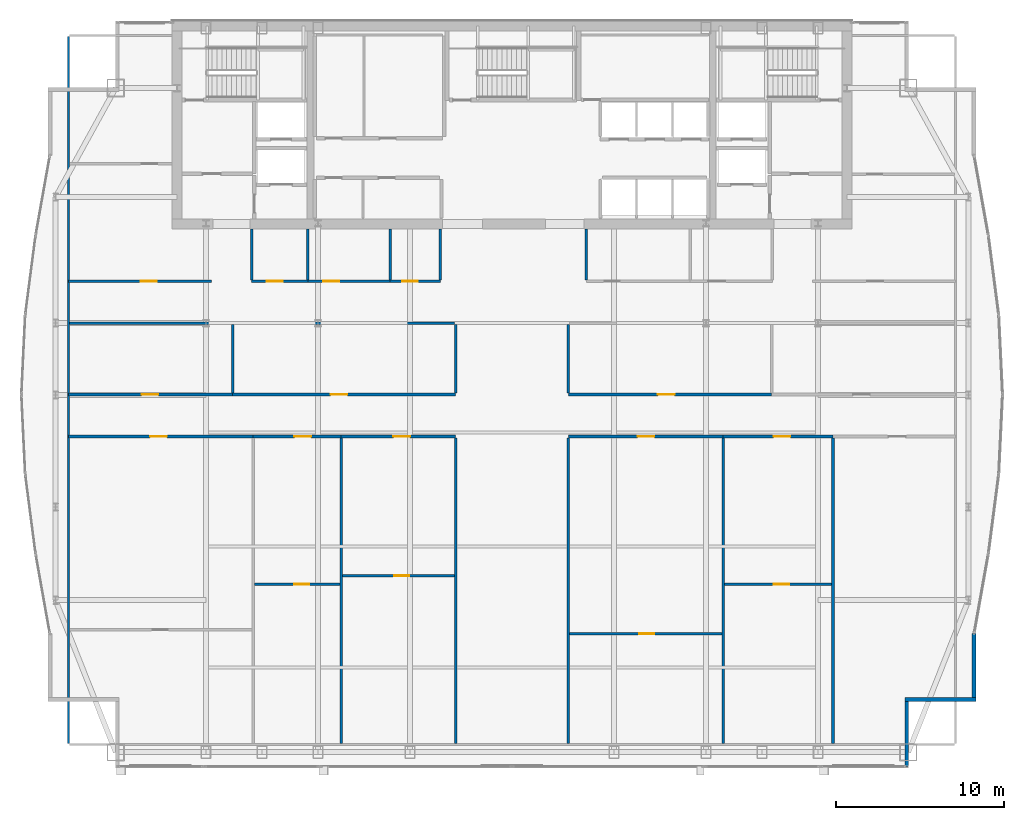
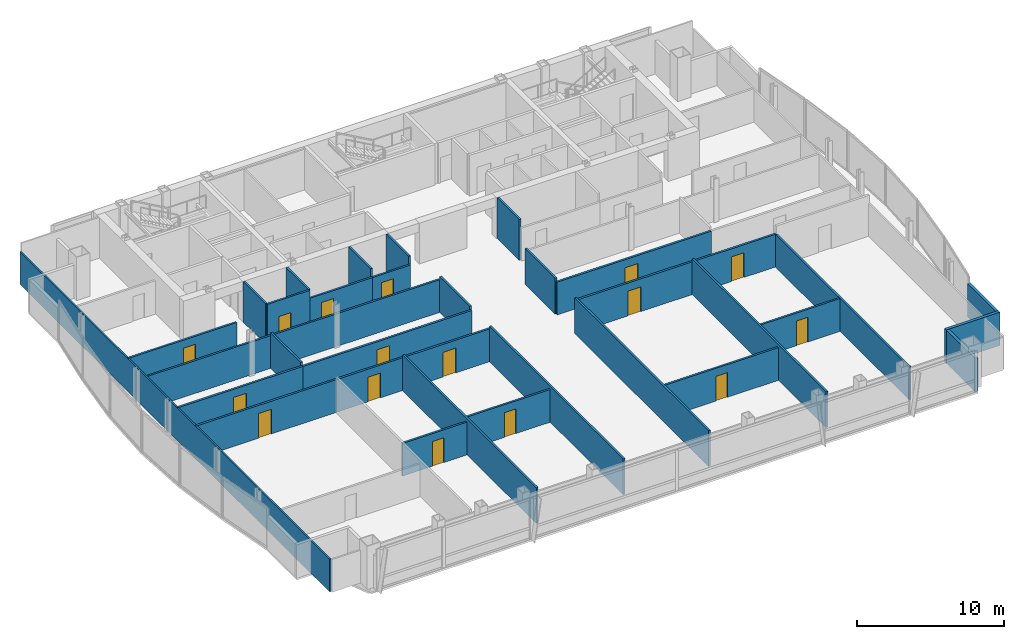
# One storey, part 25 of 30: 34 walls, 16 doors, 16 openings.
"""IFC4 building model written with IfcOpenShell, lengths in metres."""

from ifc_helpers import new_model, si_unit, direction, frame, frame_2d, origin, place, context, subcontext, project, spatial, rectangle, extrude, material, layer, layer_set, type_object, element, fill, save


model = new_model("IFC4")

# Units and contexts
model_context = context("Model", 3, precision=1e-05, world=origin(), true_north=direction((0.0, 1.0)))
body_context = subcontext(model_context, "Body", "Model", "MODEL_VIEW")
ifc_project = project(units=[si_unit("LENGTHUNIT", "METRE"), si_unit("AREAUNIT", "SQUARE_METRE"), si_unit("VOLUMEUNIT", "CUBIC_METRE"), si_unit("PLANEANGLEUNIT", "RADIAN"), si_unit("MASSUNIT", "GRAM", prefix="KILO")], contexts=[model_context])

# Site, building, storey
site_placement = place(None, origin())
site = spatial("IfcSite", under=ifc_project, at=site_placement, CompositionType="ELEMENT")
building_placement = place(site_placement, origin())
building = spatial("IfcBuilding", under=site, at=building_placement, Name="Khoronbel Lancet Exchange", CompositionType="ELEMENT")
storey_placement = place(building_placement, frame((0.0, 0.0, 253.39990234375)))
storey = spatial("IfcBuildingStorey", under=building, at=storey_placement, Name="L65", CompositionType="ELEMENT", Elevation=253.39990234375)

# Walls
ifc_material_1 = material(Name="Precast concrete C40/50", Category="concrete")
ifc_layer_1 = layer(ifc_material_1, 0.25, Name="Precast concrete C40/50")
ifc_layer_set_1 = layer_set([ifc_layer_1], Name="Precast concrete C40/50")
wall_type_1 = type_object("IfcWallType", Name="WL-EXT250", PredefinedType="SOLIDWALL", material=ifc_layer_set_1)
wall_1_placement = place(storey_placement, frame((63.9599609375, 17.22802734375, 0.0), z_axis=(0.0, 0.0, 1.0), x_axis=(0.0, -1.0, 0.0)))
element("IfcWall", 1, at=wall_1_placement, inside=storey, type_object=wall_type_1, Name="Level L65 notched-corner limestone pier 23", PredefinedType="SOLIDWALL", context=body_context, shape_type="SweptSolid", body=[
    extrude(rectangle(XDim=3.828125, YDim=0.219970703125, at=frame_2d((1.9140625, 0.0))), origin(), (0.0, 0.0, 1.0), 2.77001953125),
])
wall_2_placement = place(storey_placement, frame((64.070068359375, 13.2900390625, 0.0), z_axis=(0.0, 0.0, 1.0), x_axis=(-1.0, 0.0, 0.0)))
element("IfcWall", 2, at=wall_2_placement, inside=storey, type_object=wall_type_1, Name="Level L65 notched-corner limestone pier 24", PredefinedType="SOLIDWALL", context=body_context, shape_type="SweptSolid", body=[
    extrude(rectangle(XDim=4.219970703125, YDim=0.219970703125, at=frame_2d((2.10986328125, 0.0))), origin(), (0.0, 0.0, 1.0), 2.77001953125),
])
wall_3_placement = place(storey_placement, frame((59.9599609375, 13.179931640625, 0.0), z_axis=(0.0, 0.0, 1.0), x_axis=(0.0, -1.0, 0.0)))
element("IfcWall", 3, at=wall_3_placement, inside=storey, type_object=wall_type_1, Name="Level L65 notched-corner limestone pier 25", PredefinedType="SOLIDWALL", context=body_context, shape_type="SweptSolid", body=[
    extrude(rectangle(XDim=3.909912109375, YDim=0.219970703125, at=frame_2d((1.955078125, 0.0))), origin(), (0.0, 0.0, 1.0), 2.77001953125),
])
ifc_material_2 = material(Name="Acoustic Metal-Stud & Mineral-Wool Gypsum Partition 120 mm", Category="gypsum")
ifc_layer_2 = layer(ifc_material_2, 0.1201171875, Name="Acoustic Metal-Stud & Mineral-Wool Gypsum Partition 120 mm")
ifc_layer_set_2 = layer_set([ifc_layer_2], Name="Acoustic Metal-Stud & Mineral-Wool Gypsum Partition 120 mm")
wall_type_2 = type_object("IfcWallType", Name="WL-PRT120", PredefinedType="PARTITIONING", material=ifc_layer_set_2)
for number, where, z_axis, x_axis, name in (
    (4, (20.949951171875, 38.280029296875, 0.0), (0.0, 0.0, 1.0), (0.0, 1.0, 0.0), "Level L65 interior partition PW-WC-0"),
    (5, (24.300048828125, 38.280029296875, 0.0), (0.0, 0.0, 1.0), (0.0, 1.0, 0.0), "Level L65 interior partition PW-WC-1"),
    (6, (29.199951171875, 38.280029296875, 0.0), (0.0, 0.0, 1.0), (0.0, 1.0, 0.0), "Level L65 interior partition PW-WC-2"),
    (7, (32.179931640625, 38.280029296875, 0.0), (0.0, 0.0, 1.0), (0.0, 1.0, 0.0), "Level L65 interior partition PW-WC-3"),
    (8, (40.8798828125, 38.280029296875, 0.0), (0.0, 0.0, 1.0), (0.0, 1.0, 0.0), "Level L65 interior partition PW-NP-0"),
):
    element("IfcWall", number, at=place(storey_placement, frame(where, z_axis=z_axis, x_axis=x_axis)), inside=storey, type_object=wall_type_2, Name=name, PredefinedType="PARTITIONING", context=body_context, shape_type="SweptSolid", body=[
        extrude(rectangle(XDim=3.02001953125, YDim=0.14990234375, at=frame_2d((1.510009765625, 0.0))), origin(), (0.0, 0.0, 1.0), 3.380126953125),
    ])

# Wall, opening, door
wall_4_placement = place(storey_placement, frame((21.115966796875, 20.1455078125, 0.0), z_axis=(0.0, 0.0, 1.0), x_axis=(1.0, 0.0, 0.0)))
wall_4 = element("IfcWall", 9, at=wall_4_placement, inside=storey, type_object=wall_type_2, Name="Level L65 interior partition PW-Z3SW-H2", PredefinedType="PARTITIONING", context=body_context, shape_type="SweptSolid", body=[
    extrude(rectangle(XDim=5.078125, YDim=0.14990234375, at=frame_2d((2.5390625, 0.0))), origin(), (0.0, 0.0, 1.0), 2.72021484375),
])
opening_1_placement = place(wall_4_placement, frame((2.357177734375, 0.0, 0.0)))
opening_1 = element("IfcOpeningElement", 10, at=opening_1_placement, cuts=wall_4, Name="Opening D5", PredefinedType="OPENING", context=body_context, shape_type="SweptSolid", body=[
    extrude(rectangle(XDim=0.89990234375, YDim=2.050048828125, at=frame_2d((0.449951171875, 1.02490234375))), frame((0.0, 0.0849609375, 0.0), z_axis=(0.0, -1.0, 0.0), x_axis=(1.0, 0.0, 0.0)), (0.0, 0.0, 1.0), 0.169921875),
])
ifc_material_3 = material(Name="Acoustic Timber Pantry & Support Door", Category="wood")
door_type_1 = type_object("IfcDoorType", Name="DR-D5", OperationType="NOTDEFINED", PredefinedType="DOOR", material=ifc_material_3)
door_1_placement = place(opening_1_placement, origin())
door_1 = element("IfcDoor", 11, at=door_1_placement, inside=storey, type_object=door_type_1, Name="Z3SW inner door 2 L65-1", OperationType="SINGLE_SWING_LEFT", OverallHeight=2.050048828125, OverallWidth=0.89990234375, PredefinedType="DOOR", context=body_context, shape_type="SweptSolid", body=[
    extrude(rectangle(XDim=0.89990234375, YDim=2.050048828125, at=frame_2d((0.449951171875, 1.02490234375))), frame((0.0, 0.02490234375, 0.0), z_axis=(0.0, -1.0, 0.0), x_axis=(1.0, 0.0, 0.0)), (0.0, 0.0, 1.0), 0.050048828125),
])
fill(opening_1, door_1)

wall_5_placement = place(storey_placement, frame((26.354248046875, 20.66650390625, 0.0), z_axis=(0.0, 0.0, 1.0), x_axis=(1.0, 0.0, 0.0)))
wall_5 = element("IfcWall", 12, at=wall_5_placement, inside=storey, type_object=wall_type_2, Name="Level L65 interior partition PW-Z3SW-H3", PredefinedType="PARTITIONING", context=body_context, shape_type="SweptSolid", body=[
    extrude(rectangle(XDim=6.665771484375, YDim=0.14990234375, at=frame_2d((3.3330078125, 0.0))), origin(), (0.0, 0.0, 1.0), 2.72021484375),
])
opening_2_placement = place(wall_5_placement, frame((3.071533203125, 0.0, 0.0)))
opening_2 = element("IfcOpeningElement", 13, at=opening_2_placement, cuts=wall_5, Name="Opening D5", PredefinedType="OPENING", context=body_context, shape_type="SweptSolid", body=[
    extrude(rectangle(XDim=0.89990234375, YDim=2.050048828125, at=frame_2d((0.449951171875, 1.02490234375))), frame((0.0, 0.0849609375, 0.0), z_axis=(0.0, -1.0, 0.0), x_axis=(1.0, 0.0, 0.0)), (0.0, 0.0, 1.0), 0.169921875),
])
door_2_placement = place(opening_2_placement, origin())
door_2 = element("IfcDoor", 14, at=door_2_placement, inside=storey, type_object=door_type_1, Name="Z3SW inner door 3 L65-1", OperationType="SINGLE_SWING_LEFT", OverallHeight=2.050048828125, OverallWidth=0.89990234375, PredefinedType="DOOR", context=body_context, shape_type="SweptSolid", body=[
    extrude(rectangle(XDim=0.89990234375, YDim=2.050048828125, at=frame_2d((0.449951171875, 1.02490234375))), frame((0.0, 0.02490234375, 0.0), z_axis=(0.0, -1.0, 0.0), x_axis=(1.0, 0.0, 0.0)), (0.0, 0.0, 1.0), 0.050048828125),
])
fill(opening_2, door_2)

wall_6_placement = place(storey_placement, frame((39.8798828125, 17.2060546875, 0.0), z_axis=(0.0, 0.0, 1.0), x_axis=(1.0, 0.0, 0.0)))
wall_6 = element("IfcWall", 15, at=wall_6_placement, inside=storey, type_object=wall_type_2, Name="Level L65 interior partition PW-Z3SE-H1", PredefinedType="PARTITIONING", context=body_context, shape_type="SweptSolid", body=[
    extrude(rectangle(XDim=9.068115234375, YDim=0.14990234375, at=frame_2d((4.5341796875, 0.0))), origin(), (0.0, 0.0, 1.0), 2.72021484375),
])
opening_3_placement = place(wall_6_placement, frame((4.152587890625, 0.0, 0.0)))
opening_3 = element("IfcOpeningElement", 16, at=opening_3_placement, cuts=wall_6, Name="Opening D5", PredefinedType="OPENING", context=body_context, shape_type="SweptSolid", body=[
    extrude(rectangle(XDim=0.89990234375, YDim=2.050048828125, at=frame_2d((0.449951171875, 1.02490234375))), frame((0.0, 0.0849609375, 0.0), z_axis=(0.0, -1.0, 0.0), x_axis=(1.0, 0.0, 0.0)), (0.0, 0.0, 1.0), 0.169921875),
])
door_3_placement = place(opening_3_placement, origin())
door_3 = element("IfcDoor", 17, at=door_3_placement, inside=storey, type_object=door_type_1, Name="Z3SE inner door 1 L65-1", OperationType="SINGLE_SWING_LEFT", OverallHeight=2.050048828125, OverallWidth=0.89990234375, PredefinedType="DOOR", context=body_context, shape_type="SweptSolid", body=[
    extrude(rectangle(XDim=0.89990234375, YDim=2.050048828125, at=frame_2d((0.449951171875, 1.02490234375))), frame((0.0, 0.02490234375, 0.0), z_axis=(0.0, -1.0, 0.0), x_axis=(1.0, 0.0, 0.0)), (0.0, 0.0, 1.0), 0.050048828125),
])
fill(opening_3, door_3)

wall_7_placement = place(storey_placement, frame((49.10791015625, 20.14208984375, 0.0), z_axis=(0.0, 0.0, 1.0), x_axis=(1.0, 0.0, 0.0)))
wall_7 = element("IfcWall", 18, at=wall_7_placement, inside=storey, type_object=wall_type_2, Name="Level L65 interior partition PW-Z3SE-H2", PredefinedType="PARTITIONING", context=body_context, shape_type="SweptSolid", body=[
    extrude(rectangle(XDim=6.376708984375, YDim=0.14990234375, at=frame_2d((3.1884765625, 0.0))), origin(), (0.0, 0.0, 1.0), 2.72021484375),
])
opening_4_placement = place(wall_7_placement, frame((2.94140625, 0.0, 0.0)))
opening_4 = element("IfcOpeningElement", 19, at=opening_4_placement, cuts=wall_7, Name="Opening D5", PredefinedType="OPENING", context=body_context, shape_type="SweptSolid", body=[
    extrude(rectangle(XDim=0.89990234375, YDim=2.050048828125, at=frame_2d((0.449951171875, 1.02490234375))), frame((0.0, 0.0849609375, 0.0), z_axis=(0.0, -1.0, 0.0), x_axis=(1.0, 0.0, 0.0)), (0.0, 0.0, 1.0), 0.169921875),
])
door_4_placement = place(opening_4_placement, origin())
door_4 = element("IfcDoor", 20, at=door_4_placement, inside=storey, type_object=door_type_1, Name="Z3SE inner door 2 L65-1", OperationType="SINGLE_SWING_LEFT", OverallHeight=2.050048828125, OverallWidth=0.89990234375, PredefinedType="DOOR", context=body_context, shape_type="SweptSolid", body=[
    extrude(rectangle(XDim=0.89990234375, YDim=2.050048828125, at=frame_2d((0.449951171875, 1.02490234375))), frame((0.0, 0.02490234375, 0.0), z_axis=(0.0, -1.0, 0.0), x_axis=(1.0, 0.0, 0.0)), (0.0, 0.0, 1.0), 0.050048828125),
])
fill(opening_4, door_4)

# Wall
wall_8_placement = place(storey_placement, frame((10.030029296875, 10.6650390625, 0.0), z_axis=(0.0, 0.0, 1.0), x_axis=(0.0, 1.0, 0.0)))
element("IfcWall", 21, at=wall_8_placement, inside=storey, type_object=wall_type_2, Name="Level L65 interior partition PW-LIN-W", PredefinedType="PARTITIONING", context=body_context, shape_type="SweptSolid", body=[
    extrude(rectangle(XDim=42.10986328125, YDim=0.1201171875, at=frame_2d((21.054931640625, 0.0))), origin(), (0.0, 0.0, 1.0), 2.72021484375),
])

# Wall, opening, door
ifc_material_4 = material(Name="Fire-Rated Twin-Stud Acoustic Gypsum Partition 150 mm", Category="gypsum")
ifc_layer_3 = layer(ifc_material_4, 0.14990234375, Name="Fire-Rated Twin-Stud Acoustic Gypsum Partition 150 mm")
ifc_layer_set_3 = layer_set([ifc_layer_3], Name="Fire-Rated Twin-Stud Acoustic Gypsum Partition 150 mm")
wall_type_3 = type_object("IfcWallType", Name="WL-PRT150C", PredefinedType="PARTITIONING", material=ifc_layer_set_3)
wall_9_placement = place(storey_placement, frame((20.949951171875, 38.199951171875, 0.0), z_axis=(0.0, 0.0, 1.0), x_axis=(1.0, 0.0, 0.0)))
wall_9 = element("IfcWall", 22, at=wall_9_placement, inside=storey, type_object=wall_type_3, Name="Level L65 interior partition PW-WC-S1", PredefinedType="PARTITIONING", context=body_context, shape_type="SweptSolid", body=[
    extrude(rectangle(XDim=3.35009765625, YDim=0.14990234375, at=frame_2d((1.675048828125, 0.0))), origin(), (0.0, 0.0, 1.0), 3.380126953125),
])
opening_5_placement = place(wall_9_placement, frame((0.89990234375, 0.0, 0.0)))
opening_5 = element("IfcOpeningElement", 23, at=opening_5_placement, cuts=wall_9, Name="Opening D4", PredefinedType="OPENING", context=body_context, shape_type="SweptSolid", body=[
    extrude(rectangle(XDim=0.949951171875, YDim=2.050048828125, at=frame_2d((0.47509765625, 1.02490234375))), frame((0.0, 0.0849609375, 0.0), z_axis=(0.0, -1.0, 0.0), x_axis=(1.0, 0.0, 0.0)), (0.0, 0.0, 1.0), 0.169921875),
])
ifc_material_5 = material(Name="Moisture-Resistant HPL Washroom Door", Category="wood")
door_type_2 = type_object("IfcDoorType", Name="DR-D4", OperationType="NOTDEFINED", PredefinedType="DOOR", material=ifc_material_5)
door_5_placement = place(opening_5_placement, origin())
door_5 = element("IfcDoor", 24, at=door_5_placement, inside=storey, type_object=door_type_2, Name="Male washroom door L65-1", OperationType="SINGLE_SWING_LEFT", OverallHeight=2.050048828125, OverallWidth=0.949951171875, PredefinedType="DOOR", context=body_context, shape_type="SweptSolid", body=[
    extrude(rectangle(XDim=0.949951171875, YDim=2.050048828125, at=frame_2d((0.47509765625, 1.02490234375))), frame((0.0, 0.02490234375, 0.0), z_axis=(0.0, -1.0, 0.0), x_axis=(1.0, 0.0, 0.0)), (0.0, 0.0, 1.0), 0.050048828125),
])
fill(opening_5, door_5)

wall_10_placement = place(storey_placement, frame((24.300048828125, 38.199951171875, 0.0), z_axis=(0.0, 0.0, 1.0), x_axis=(1.0, 0.0, 0.0)))
wall_10 = element("IfcWall", 25, at=wall_10_placement, inside=storey, type_object=wall_type_3, Name="Level L65 interior partition PW-WC-S2", PredefinedType="PARTITIONING", context=body_context, shape_type="SweptSolid", body=[
    extrude(rectangle(XDim=4.89990234375, YDim=0.14990234375, at=frame_2d((2.449951171875, 0.0))), origin(), (0.0, 0.0, 1.0), 2.72021484375),
])
opening_6_placement = place(wall_10_placement, frame((0.89990234375, 0.0, 0.0)))
opening_6 = element("IfcOpeningElement", 26, at=opening_6_placement, cuts=wall_10, Name="Opening D4", PredefinedType="OPENING", context=body_context, shape_type="SweptSolid", body=[
    extrude(rectangle(XDim=0.949951171875, YDim=2.050048828125, at=frame_2d((0.47509765625, 1.02490234375))), frame((0.0, 0.0849609375, 0.0), z_axis=(0.0, -1.0, 0.0), x_axis=(1.0, 0.0, 0.0)), (0.0, 0.0, 1.0), 0.169921875),
])
door_6_placement = place(opening_6_placement, origin())
door_6 = element("IfcDoor", 27, at=door_6_placement, inside=storey, type_object=door_type_2, Name="Female washroom door L65-1", OperationType="SINGLE_SWING_RIGHT", OverallHeight=2.050048828125, OverallWidth=0.949951171875, PredefinedType="DOOR", context=body_context, shape_type="SweptSolid", body=[
    extrude(rectangle(XDim=0.949951171875, YDim=2.050048828125, at=frame_2d((0.47509765625, 1.02490234375))), frame((0.0, 0.02490234375, 0.0), z_axis=(0.0, -1.0, 0.0), x_axis=(1.0, 0.0, 0.0)), (0.0, 0.0, 1.0), 0.050048828125),
])
fill(opening_6, door_6)

wall_11_placement = place(storey_placement, frame((29.199951171875, 38.199951171875, 0.0), z_axis=(0.0, 0.0, 1.0), x_axis=(1.0, 0.0, 0.0)))
wall_11 = element("IfcWall", 28, at=wall_11_placement, inside=storey, type_object=wall_type_3, Name="Level L65 interior partition PW-WC-S3", PredefinedType="PARTITIONING", context=body_context, shape_type="SweptSolid", body=[
    extrude(rectangle(XDim=2.97998046875, YDim=0.14990234375, at=frame_2d((1.489990234375, 0.0))), origin(), (0.0, 0.0, 1.0), 2.72021484375),
])
opening_7_placement = place(wall_11_placement, frame((0.699951171875, 0.0, 0.0)))
opening_7 = element("IfcOpeningElement", 29, at=opening_7_placement, cuts=wall_11, Name="Opening D4", PredefinedType="OPENING", context=body_context, shape_type="SweptSolid", body=[
    extrude(rectangle(XDim=0.949951171875, YDim=2.050048828125, at=frame_2d((0.47509765625, 1.02490234375))), frame((0.0, 0.0849609375, 0.0), z_axis=(0.0, -1.0, 0.0), x_axis=(1.0, 0.0, 0.0)), (0.0, 0.0, 1.0), 0.169921875),
])
door_7_placement = place(opening_7_placement, origin())
door_7 = element("IfcDoor", 30, at=door_7_placement, inside=storey, type_object=door_type_2, Name="Accessible WC door L65-1", OperationType="SINGLE_SWING_LEFT", OverallHeight=2.050048828125, OverallWidth=0.949951171875, PredefinedType="DOOR", context=body_context, shape_type="SweptSolid", body=[
    extrude(rectangle(XDim=0.949951171875, YDim=2.050048828125, at=frame_2d((0.47509765625, 1.02490234375))), frame((0.0, 0.02490234375, 0.0), z_axis=(0.0, -1.0, 0.0), x_axis=(1.0, 0.0, 0.0)), (0.0, 0.0, 1.0), 0.050048828125),
])
fill(opening_7, door_7)

wall_12_placement = place(storey_placement, frame((10.030029296875, 38.199951171875, 0.0), z_axis=(0.0, 0.0, 1.0), x_axis=(1.0, 0.0, 0.0)))
wall_12 = element("IfcWall", 31, at=wall_12_placement, inside=storey, type_object=wall_type_3, Name="Level L65 interior partition PW-NW-S", PredefinedType="PARTITIONING", context=body_context, shape_type="SweptSolid", body=[
    extrude(rectangle(XDim=8.52001953125, YDim=0.14990234375, at=frame_2d((4.260009765625, 0.0))), origin(), (0.0, 0.0, 1.0), 2.72021484375),
])
opening_8_placement = place(wall_12_placement, frame((4.320068359375, 0.0, 0.0)))
opening_8 = element("IfcOpeningElement", 32, at=opening_8_placement, cuts=wall_12, Name="Opening D1", PredefinedType="OPENING", context=body_context, shape_type="SweptSolid", body=[
    extrude(rectangle(XDim=0.949951171875, YDim=2.050048828125, at=frame_2d((0.47509765625, 1.02490234375))), frame((0.0, 0.0849609375, 0.0), z_axis=(0.0, -1.0, 0.0), x_axis=(1.0, 0.0, 0.0)), (0.0, 0.0, 1.0), 0.169921875),
])
ifc_material_6 = material(Name="Acoustic Veneered Timber & Bronze Frame Door", Category="wood")
door_type_3 = type_object("IfcDoorType", Name="DR-D1", OperationType="NOTDEFINED", PredefinedType="DOOR", material=ifc_material_6)
door_8_placement = place(opening_8_placement, origin())
door_8 = element("IfcDoor", 33, at=door_8_placement, inside=storey, type_object=door_type_3, Name="NW corner room door L65-1", OperationType="SINGLE_SWING_RIGHT", OverallHeight=2.050048828125, OverallWidth=0.949951171875, PredefinedType="DOOR", context=body_context, shape_type="SweptSolid", body=[
    extrude(rectangle(XDim=0.949951171875, YDim=2.050048828125, at=frame_2d((0.47509765625, 1.02490234375))), frame((0.0, 0.02490234375, 0.0), z_axis=(0.0, -1.0, 0.0), x_axis=(1.0, 0.0, 0.0)), (0.0, 0.0, 1.0), 0.050048828125),
])
fill(opening_8, door_8)

# Walls
for number, where, z_axis, x_axis, name in (
    (34, (33.10009765625, 10.6650390625, 0.0), (0.0, 0.0, 1.0), (0.0, 1.0, 0.0), "Level L65 interior partition PW-Z3-CW1"),
    (35, (39.800048828125, 10.6650390625, 0.0), (0.0, 0.0, 1.0), (0.0, 1.0, 0.0), "Level L65 interior partition PW-Z3-CE1"),
):
    element("IfcWall", number, at=place(storey_placement, frame(where, z_axis=z_axis, x_axis=x_axis)), inside=storey, type_object=wall_type_3, Name=name, PredefinedType="PARTITIONING", context=body_context, shape_type="SweptSolid", body=[
        extrude(rectangle(XDim=18.199951171875, YDim=0.14990234375, at=frame_2d((9.10009765625, 0.0))), origin(), (0.0, 0.0, 1.0), 2.97021484375),
    ])
for number, where, z_axis, x_axis, name in (
    (36, (33.10009765625, 31.534912109375, 0.0), (0.0, 0.0, 1.0), (0.0, 1.0, 0.0), "Level L65 interior partition PW-Z3-CW2"),
    (37, (39.800048828125, 31.534912109375, 0.0), (0.0, 0.0, 1.0), (0.0, 1.0, 0.0), "Level L65 interior partition PW-Z3-CE2"),
):
    element("IfcWall", number, at=place(storey_placement, frame(where, z_axis=z_axis, x_axis=x_axis)), inside=storey, type_object=wall_type_3, Name=name, PredefinedType="PARTITIONING", context=body_context, shape_type="SweptSolid", body=[
        extrude(rectangle(XDim=4.085205078125, YDim=0.14990234375, at=frame_2d((2.04248046875, 0.0))), origin(), (0.0, 0.0, 1.0), 2.97021484375),
    ])
wall_13_placement = place(storey_placement, frame((10.094970703125, 35.699951171875, 0.0), z_axis=(0.0, 0.0, 1.0), x_axis=(1.0, 0.0, 0.0)))
element("IfcWall", 38, at=wall_13_placement, inside=storey, type_object=wall_type_3, Name="Level L65 interior partition PW-Z3-WN", PredefinedType="PARTITIONING", context=body_context, shape_type="SweptSolid", body=[
    extrude(rectangle(XDim=22.925048828125, YDim=0.14990234375, at=frame_2d((11.46240234375, 0.0))), origin(), (0.0, 0.0, 1.0), 2.72021484375),
])
for number, where, z_axis, x_axis, name in (
    (39, (26.274169921875, 10.6650390625, 0.0), (0.0, 0.0, 1.0), (0.0, 1.0, 0.0), "Level L65 interior partition PW-Z3SW-V2"),
    (40, (49.028076171875, 10.6650390625, 0.0), (0.0, 0.0, 1.0), (0.0, 1.0, 0.0), "Level L65 interior partition PW-Z3SE-V1"),
):
    element("IfcWall", number, at=place(storey_placement, frame(where, z_axis=z_axis, x_axis=x_axis)), inside=storey, type_object=wall_type_3, Name=name, PredefinedType="PARTITIONING", context=body_context, shape_type="SweptSolid", body=[
        extrude(rectangle(XDim=18.199951171875, YDim=0.14990234375, at=frame_2d((9.10009765625, 0.0))), origin(), (0.0, 0.0, 1.0), 2.97021484375),
    ])
wall_14_placement = place(storey_placement, frame((55.564453125, 10.6650390625, 0.0), z_axis=(0.0, 0.0, 1.0), x_axis=(0.0, 1.0, 0.0)))
element("IfcWall", 41, at=wall_14_placement, inside=storey, type_object=wall_type_3, Name="Level L65 interior partition PW-Z3SE-V2", PredefinedType="PARTITIONING", context=body_context, shape_type="SweptSolid", body=[
    extrude(rectangle(XDim=18.199951171875, YDim=0.14990234375, at=frame_2d((9.10009765625, 0.0))), origin(), (0.0, 0.0, 1.0), 2.72021484375),
])
wall_15_placement = place(storey_placement, frame((19.819580078125, 31.534912109375, 0.0), z_axis=(0.0, 0.0, 1.0), x_axis=(0.0, 1.0, 0.0)))
element("IfcWall", 42, at=wall_15_placement, inside=storey, type_object=wall_type_3, Name="Level L65 interior partition PW-Z3NW-V1", PredefinedType="PARTITIONING", context=body_context, shape_type="SweptSolid", body=[
    extrude(rectangle(XDim=4.085205078125, YDim=0.14990234375, at=frame_2d((2.04248046875, 0.0))), origin(), (0.0, 0.0, 1.0), 2.97021484375),
])

# Wall, opening, door
ifc_material_7 = material(Name="Fire-Rated Twin-Stud Acoustic Gypsum Partition 160 mm", Category="gypsum")
ifc_layer_4 = layer(ifc_material_7, 0.159912109375, Name="Fire-Rated Twin-Stud Acoustic Gypsum Partition 160 mm")
ifc_layer_set_4 = layer_set([ifc_layer_4], Name="Fire-Rated Twin-Stud Acoustic Gypsum Partition 160 mm")
wall_type_4 = type_object("IfcWallType", Name="WL-PRT160C", PredefinedType="PARTITIONING", material=ifc_layer_set_4)
wall_16_placement = place(storey_placement, frame((10.030029296875, 28.949951171875, 0.0), z_axis=(0.0, 0.0, 1.0), x_axis=(1.0, 0.0, 0.0)))
wall_16 = element("IfcWall", 43, at=wall_16_placement, inside=storey, type_object=wall_type_4, Name="Level L65 interior partition PW-Z3SW-COR1", PredefinedType="PARTITIONING", context=body_context, shape_type="SweptSolid", body=[
    extrude(rectangle(XDim=11.005859375, YDim=0.159912109375, at=frame_2d((5.5029296875, 0.0))), origin(), (0.0, 0.0, 1.0), 2.72021484375),
])
opening_9_placement = place(wall_16_placement, frame((4.87255859375, 0.0, 0.0)))
opening_9 = element("IfcOpeningElement", 44, at=opening_9_placement, cuts=wall_16, Name="Opening D2", PredefinedType="OPENING", context=body_context, shape_type="SweptSolid", body=[
    extrude(rectangle(XDim=1.0, YDim=2.050048828125, at=frame_2d((0.5, 1.02490234375))), frame((0.0, 0.08984375, 0.0), z_axis=(0.0, -1.0, 0.0), x_axis=(1.0, 0.0, 0.0)), (0.0, 0.0, 1.0), 0.179931640625),
])
door_type_4 = type_object("IfcDoorType", Name="DR-D2", OperationType="NOTDEFINED", PredefinedType="DOOR", material=ifc_material_6)
door_9_placement = place(opening_9_placement, origin())
door_9 = element("IfcDoor", 45, at=door_9_placement, inside=storey, type_object=door_type_4, Name="Z3SW bay 1 door L65-1", OperationType="SINGLE_SWING_RIGHT", OverallHeight=2.050048828125, OverallWidth=1.0, PredefinedType="DOOR", context=body_context, shape_type="SweptSolid", body=[
    extrude(rectangle(XDim=1.0, YDim=2.050048828125, at=frame_2d((0.5, 1.02490234375))), frame((0.0, 0.02490234375, 0.0), z_axis=(0.0, -1.0, 0.0), x_axis=(1.0, 0.0, 0.0)), (0.0, 0.0, 1.0), 0.050048828125),
])
fill(opening_9, door_9)

wall_17_placement = place(storey_placement, frame((21.035888671875, 28.949951171875, 0.0), z_axis=(0.0, 0.0, 1.0), x_axis=(1.0, 0.0, 0.0)))
wall_17 = element("IfcWall", 46, at=wall_17_placement, inside=storey, type_object=wall_type_4, Name="Level L65 interior partition PW-Z3SW-COR2", PredefinedType="PARTITIONING", context=body_context, shape_type="SweptSolid", body=[
    extrude(rectangle(XDim=5.23828125, YDim=0.159912109375, at=frame_2d((2.619140625, 0.0))), origin(), (0.0, 0.0, 1.0), 2.72021484375),
])
opening_10_placement = place(wall_17_placement, frame((2.4501953125, 0.0, 0.0)))
opening_10 = element("IfcOpeningElement", 47, at=opening_10_placement, cuts=wall_17, Name="Opening D2", PredefinedType="OPENING", context=body_context, shape_type="SweptSolid", body=[
    extrude(rectangle(XDim=1.0, YDim=2.050048828125, at=frame_2d((0.5, 1.02490234375))), frame((0.0, 0.08984375, 0.0), z_axis=(0.0, -1.0, 0.0), x_axis=(1.0, 0.0, 0.0)), (0.0, 0.0, 1.0), 0.179931640625),
])
door_10_placement = place(opening_10_placement, origin())
door_10 = element("IfcDoor", 48, at=door_10_placement, inside=storey, type_object=door_type_4, Name="Z3SW bay 2 door L65-1", OperationType="SINGLE_SWING_RIGHT", OverallHeight=2.050048828125, OverallWidth=1.0, PredefinedType="DOOR", context=body_context, shape_type="SweptSolid", body=[
    extrude(rectangle(XDim=1.0, YDim=2.050048828125, at=frame_2d((0.5, 1.02490234375))), frame((0.0, 0.02490234375, 0.0), z_axis=(0.0, -1.0, 0.0), x_axis=(1.0, 0.0, 0.0)), (0.0, 0.0, 1.0), 0.050048828125),
])
fill(opening_10, door_10)

wall_18_placement = place(storey_placement, frame((26.274169921875, 28.949951171875, 0.0), z_axis=(0.0, 0.0, 1.0), x_axis=(1.0, 0.0, 0.0)))
wall_18 = element("IfcWall", 49, at=wall_18_placement, inside=storey, type_object=wall_type_4, Name="Level L65 interior partition PW-Z3SW-COR3", PredefinedType="PARTITIONING", context=body_context, shape_type="SweptSolid", body=[
    extrude(rectangle(XDim=6.825927734375, YDim=0.159912109375, at=frame_2d((3.4130859375, 0.0))), origin(), (0.0, 0.0, 1.0), 2.72021484375),
])
opening_11_placement = place(wall_18_placement, frame((3.11669921875, 0.0, 0.0)))
opening_11 = element("IfcOpeningElement", 50, at=opening_11_placement, cuts=wall_18, Name="Opening D2", PredefinedType="OPENING", context=body_context, shape_type="SweptSolid", body=[
    extrude(rectangle(XDim=1.0, YDim=2.050048828125, at=frame_2d((0.5, 1.02490234375))), frame((0.0, 0.08984375, 0.0), z_axis=(0.0, -1.0, 0.0), x_axis=(1.0, 0.0, 0.0)), (0.0, 0.0, 1.0), 0.179931640625),
])
door_11_placement = place(opening_11_placement, origin())
door_11 = element("IfcDoor", 51, at=door_11_placement, inside=storey, type_object=door_type_4, Name="Z3SW bay 3 door L65-1", OperationType="SINGLE_SWING_RIGHT", OverallHeight=2.050048828125, OverallWidth=1.0, PredefinedType="DOOR", context=body_context, shape_type="SweptSolid", body=[
    extrude(rectangle(XDim=1.0, YDim=2.050048828125, at=frame_2d((0.5, 1.02490234375))), frame((0.0, 0.02490234375, 0.0), z_axis=(0.0, -1.0, 0.0), x_axis=(1.0, 0.0, 0.0)), (0.0, 0.0, 1.0), 0.050048828125),
])
fill(opening_11, door_11)

wall_19_placement = place(storey_placement, frame((39.800048828125, 28.949951171875, 0.0), z_axis=(0.0, 0.0, 1.0), x_axis=(1.0, 0.0, 0.0)))
wall_19 = element("IfcWall", 52, at=wall_19_placement, inside=storey, type_object=wall_type_4, Name="Level L65 interior partition PW-Z3SE-COR1", PredefinedType="PARTITIONING", context=body_context, shape_type="SweptSolid", body=[
    extrude(rectangle(XDim=9.22802734375, YDim=0.159912109375, at=frame_2d((4.614013671875, 0.0))), origin(), (0.0, 0.0, 1.0), 2.72021484375),
])
opening_12_placement = place(wall_19_placement, frame((4.125732421875, 0.0, 0.0)))
opening_12 = element("IfcOpeningElement", 53, at=opening_12_placement, cuts=wall_19, Name="Opening D2", PredefinedType="OPENING", context=body_context, shape_type="SweptSolid", body=[
    extrude(rectangle(XDim=1.0, YDim=2.050048828125, at=frame_2d((0.5, 1.02490234375))), frame((0.0, 0.08984375, 0.0), z_axis=(0.0, -1.0, 0.0), x_axis=(1.0, 0.0, 0.0)), (0.0, 0.0, 1.0), 0.179931640625),
])
door_12_placement = place(opening_12_placement, origin())
door_12 = element("IfcDoor", 54, at=door_12_placement, inside=storey, type_object=door_type_4, Name="Z3SE bay 1 door L65-1", OperationType="SINGLE_SWING_RIGHT", OverallHeight=2.050048828125, OverallWidth=1.0, PredefinedType="DOOR", context=body_context, shape_type="SweptSolid", body=[
    extrude(rectangle(XDim=1.0, YDim=2.050048828125, at=frame_2d((0.5, 1.02490234375))), frame((0.0, 0.02490234375, 0.0), z_axis=(0.0, -1.0, 0.0), x_axis=(1.0, 0.0, 0.0)), (0.0, 0.0, 1.0), 0.050048828125),
])
fill(opening_12, door_12)

wall_20_placement = place(storey_placement, frame((49.028076171875, 28.949951171875, 0.0), z_axis=(0.0, 0.0, 1.0), x_axis=(1.0, 0.0, 0.0)))
wall_20 = element("IfcWall", 55, at=wall_20_placement, inside=storey, type_object=wall_type_4, Name="Level L65 interior partition PW-Z3SE-COR2", PredefinedType="PARTITIONING", context=body_context, shape_type="SweptSolid", body=[
    extrude(rectangle(XDim=6.536376953125, YDim=0.159912109375, at=frame_2d((3.26806640625, 0.0))), origin(), (0.0, 0.0, 1.0), 2.72021484375),
])
opening_13_placement = place(wall_20_placement, frame((2.995361328125, 0.0, 0.0)))
opening_13 = element("IfcOpeningElement", 56, at=opening_13_placement, cuts=wall_20, Name="Opening D2", PredefinedType="OPENING", context=body_context, shape_type="SweptSolid", body=[
    extrude(rectangle(XDim=1.0, YDim=2.050048828125, at=frame_2d((0.5, 1.02490234375))), frame((0.0, 0.08984375, 0.0), z_axis=(0.0, -1.0, 0.0), x_axis=(1.0, 0.0, 0.0)), (0.0, 0.0, 1.0), 0.179931640625),
])
door_13_placement = place(opening_13_placement, origin())
door_13 = element("IfcDoor", 57, at=door_13_placement, inside=storey, type_object=door_type_4, Name="Z3SE bay 2 door L65-1", OperationType="SINGLE_SWING_RIGHT", OverallHeight=2.050048828125, OverallWidth=1.0, PredefinedType="DOOR", context=body_context, shape_type="SweptSolid", body=[
    extrude(rectangle(XDim=1.0, YDim=2.050048828125, at=frame_2d((0.5, 1.02490234375))), frame((0.0, 0.02490234375, 0.0), z_axis=(0.0, -1.0, 0.0), x_axis=(1.0, 0.0, 0.0)), (0.0, 0.0, 1.0), 0.050048828125),
])
fill(opening_13, door_13)

wall_21_placement = place(storey_placement, frame((10.030029296875, 31.449951171875, 0.0), z_axis=(0.0, 0.0, 1.0), x_axis=(1.0, 0.0, 0.0)))
wall_21 = element("IfcWall", 58, at=wall_21_placement, inside=storey, type_object=wall_type_4, Name="Level L65 interior partition PW-Z3NW-COR1", PredefinedType="PARTITIONING", context=body_context, shape_type="SweptSolid", body=[
    extrude(rectangle(XDim=9.78955078125, YDim=0.159912109375, at=frame_2d((4.894775390625, 0.0))), origin(), (0.0, 0.0, 1.0), 2.72021484375),
])
opening_14_placement = place(wall_21_placement, frame((4.361572265625, 0.0, 0.0)))
opening_14 = element("IfcOpeningElement", 59, at=opening_14_placement, cuts=wall_21, Name="Opening D2", PredefinedType="OPENING", context=body_context, shape_type="SweptSolid", body=[
    extrude(rectangle(XDim=1.0, YDim=2.050048828125, at=frame_2d((0.5, 1.02490234375))), frame((0.0, 0.08984375, 0.0), z_axis=(0.0, -1.0, 0.0), x_axis=(1.0, 0.0, 0.0)), (0.0, 0.0, 1.0), 0.179931640625),
])
door_14_placement = place(opening_14_placement, origin())
door_14 = element("IfcDoor", 60, at=door_14_placement, inside=storey, type_object=door_type_4, Name="Z3NW bay 1 door L65-1", OperationType="SINGLE_SWING_LEFT", OverallHeight=2.050048828125, OverallWidth=1.0, PredefinedType="DOOR", context=body_context, shape_type="SweptSolid", body=[
    extrude(rectangle(XDim=1.0, YDim=2.050048828125, at=frame_2d((0.5, 1.02490234375))), frame((0.0, 0.02490234375, 0.0), z_axis=(0.0, -1.0, 0.0), x_axis=(1.0, 0.0, 0.0)), (0.0, 0.0, 1.0), 0.050048828125),
])
fill(opening_14, door_14)

wall_22_placement = place(storey_placement, frame((19.819580078125, 31.449951171875, 0.0), z_axis=(0.0, 0.0, 1.0), x_axis=(1.0, 0.0, 0.0)))
wall_22 = element("IfcWall", 61, at=wall_22_placement, inside=storey, type_object=wall_type_4, Name="Level L65 interior partition PW-Z3NW-COR2", PredefinedType="PARTITIONING", context=body_context, shape_type="SweptSolid", body=[
    extrude(rectangle(XDim=13.280517578125, YDim=0.159912109375, at=frame_2d((6.64013671875, 0.0))), origin(), (0.0, 0.0, 1.0), 2.72021484375),
])
opening_15_placement = place(wall_22_placement, frame((5.827880859375, 0.0, 0.0)))
opening_15 = element("IfcOpeningElement", 62, at=opening_15_placement, cuts=wall_22, Name="Opening D2", PredefinedType="OPENING", context=body_context, shape_type="SweptSolid", body=[
    extrude(rectangle(XDim=1.0, YDim=2.050048828125, at=frame_2d((0.5, 1.02490234375))), frame((0.0, 0.08984375, 0.0), z_axis=(0.0, -1.0, 0.0), x_axis=(1.0, 0.0, 0.0)), (0.0, 0.0, 1.0), 0.179931640625),
])
door_15_placement = place(opening_15_placement, origin())
door_15 = element("IfcDoor", 63, at=door_15_placement, inside=storey, type_object=door_type_4, Name="Z3NW bay 2 door L65-1", OperationType="SINGLE_SWING_RIGHT", OverallHeight=2.050048828125, OverallWidth=1.0, PredefinedType="DOOR", context=body_context, shape_type="SweptSolid", body=[
    extrude(rectangle(XDim=1.0, YDim=2.050048828125, at=frame_2d((0.5, 1.02490234375))), frame((0.0, 0.02490234375, 0.0), z_axis=(0.0, -1.0, 0.0), x_axis=(1.0, 0.0, 0.0)), (0.0, 0.0, 1.0), 0.050048828125),
])
fill(opening_15, door_15)

wall_23_placement = place(storey_placement, frame((39.800048828125, 31.449951171875, 0.0), z_axis=(0.0, 0.0, 1.0), x_axis=(1.0, 0.0, 0.0)))
wall_23 = element("IfcWall", 64, at=wall_23_placement, inside=storey, type_object=wall_type_4, Name="Level L65 interior partition PW-Z3NE-COR1", PredefinedType="PARTITIONING", context=body_context, shape_type="SweptSolid", body=[
    extrude(rectangle(XDim=12.111572265625, YDim=0.159912109375, at=frame_2d((6.0556640625, 0.0))), origin(), (0.0, 0.0, 1.0), 2.72021484375),
])
opening_16_placement = place(wall_23_placement, frame((5.3369140625, 0.0, 0.0)))
opening_16 = element("IfcOpeningElement", 65, at=opening_16_placement, cuts=wall_23, Name="Opening D2", PredefinedType="OPENING", context=body_context, shape_type="SweptSolid", body=[
    extrude(rectangle(XDim=1.0, YDim=2.050048828125, at=frame_2d((0.5, 1.02490234375))), frame((0.0, 0.08984375, 0.0), z_axis=(0.0, -1.0, 0.0), x_axis=(1.0, 0.0, 0.0)), (0.0, 0.0, 1.0), 0.179931640625),
])
door_16_placement = place(opening_16_placement, origin())
door_16 = element("IfcDoor", 66, at=door_16_placement, inside=storey, type_object=door_type_4, Name="Z3NE bay 1 door L65-1", OperationType="SINGLE_SWING_LEFT", OverallHeight=2.050048828125, OverallWidth=1.0, PredefinedType="DOOR", context=body_context, shape_type="SweptSolid", body=[
    extrude(rectangle(XDim=1.0, YDim=2.050048828125, at=frame_2d((0.5, 1.02490234375))), frame((0.0, 0.02490234375, 0.0), z_axis=(0.0, -1.0, 0.0), x_axis=(1.0, 0.0, 0.0)), (0.0, 0.0, 1.0), 0.050048828125),
])
fill(opening_16, door_16)

save(model, "model.ifc")
